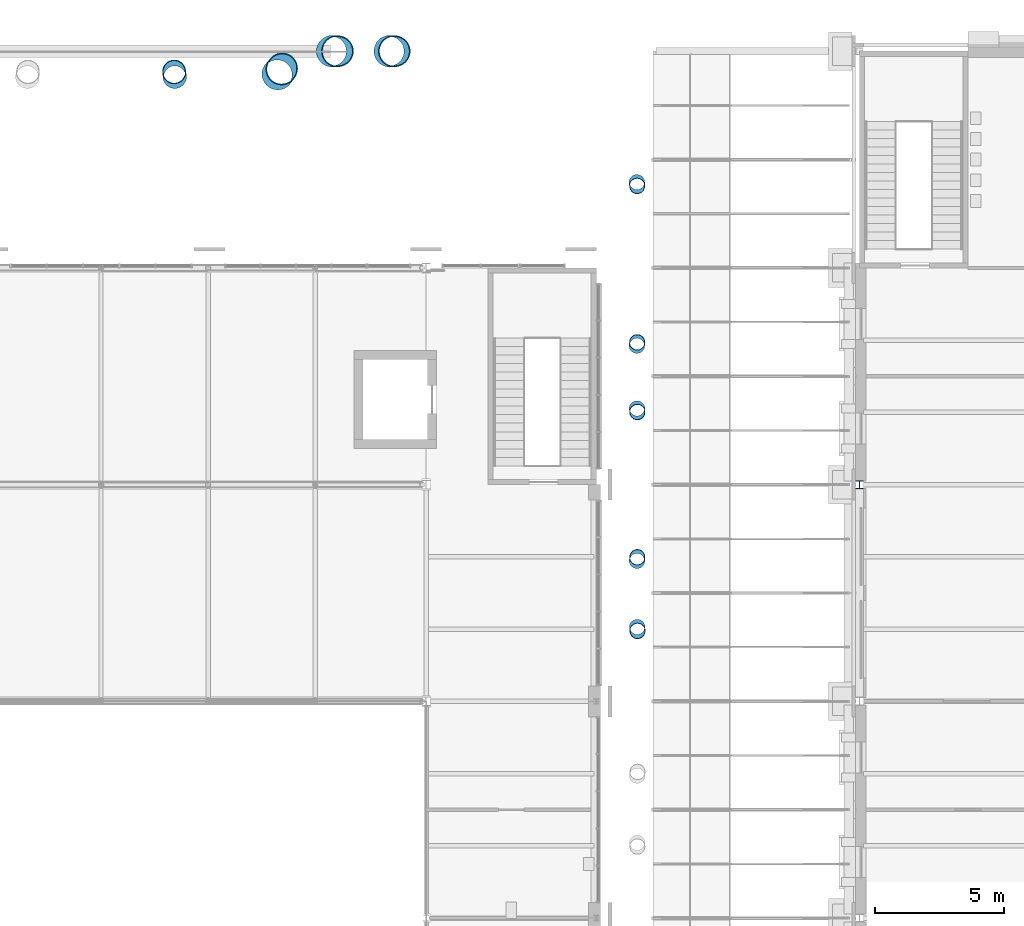
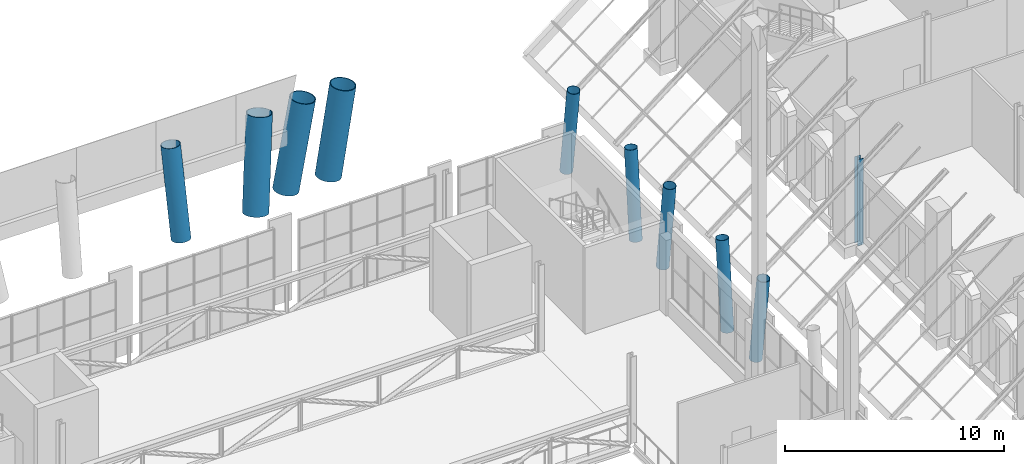
# One storey, part 9 of 76: 10 columns.
"""IFC4 building model written with IfcOpenShell, lengths in metres."""

from ifc_helpers import new_model, si_unit, direction, frame, origin, origin_2d, place, context, subcontext, project, spatial, hollow_circle, i_section, extrude, material, material_profile, profile_set, type_object, element, save


model = new_model("IFC4")

# Units and contexts
model_context = context("Model", 3, precision=1e-05, world=origin(), true_north=direction((0.0, 1.0)))
body_context = subcontext(model_context, "Body", "Model", "MODEL_VIEW")
ifc_project = project(units=[si_unit("LENGTHUNIT", "METRE"), si_unit("AREAUNIT", "SQUARE_METRE"), si_unit("VOLUMEUNIT", "CUBIC_METRE"), si_unit("PLANEANGLEUNIT", "RADIAN"), si_unit("MASSUNIT", "GRAM", prefix="KILO")], contexts=[model_context])

# Site, building, storey
site_placement = place(None, origin())
site = spatial("IfcSite", under=ifc_project, at=site_placement, CompositionType="ELEMENT")
building_placement = place(site_placement, origin())
building = spatial("IfcBuilding", under=site, at=building_placement, Name="Sava Quay Ferry Terminal", CompositionType="ELEMENT")
storey_placement = place(building_placement, frame((0.0, 0.0, 6.0)))
storey = spatial("IfcBuildingStorey", under=building, at=storey_placement, Name="L01", CompositionType="ELEMENT", Elevation=6.0)

# Columns
ifc_material_1 = material(Name="Steel S355", Category="steel")
ifc_material_profile_1 = material_profile(ifc_material_1, i_section(OverallWidth=0.300048828125, OverallDepth=0.300048828125, WebThickness=0.010986328125, FlangeThickness=0.01904296875, at=origin_2d()), Name="HE 300 B")
ifc_profile_set_1 = profile_set([ifc_material_profile_1], Name="Steel S355")
column_type_1 = type_object("IfcColumnType", Name="Column HE 300 B", PredefinedType="COLUMN", material=ifc_profile_set_1)
column_1_placement = place(storey_placement, frame((92.39990234375, 92.39990234375, 0.0), z_axis=(0.0, 0.0, 1.0), x_axis=(1.0, 0.0, 0.0)))
element("IfcColumn", 1, at=column_1_placement, inside=storey, type_object=column_type_1, Name="Column L01 92.4/92.4", PredefinedType="COLUMN", context=body_context, shape_type="SweptSolid", body=[
    extrude(i_section(OverallWidth=0.300048828125, OverallDepth=0.300048828125, WebThickness=0.010986328125, FlangeThickness=0.01904296875, at=origin_2d()), origin(), (0.0, 0.0, 1.0), 4.800048828125),
])
ifc_material_2 = material(Name="Steel S355", Category="steel")
ifc_material_profile_2 = material_profile(ifc_material_2, hollow_circle(Radius=0.609619140625, WallThickness=0.0400390625, at=origin_2d()), Name="CHS 1219 x 40.0")
ifc_profile_set_2 = profile_set([ifc_material_profile_2], Name="Steel S355")
column_type_2 = type_object("IfcColumnType", Name="V column CHS 1219x40", PredefinedType="COLUMN", material=ifc_profile_set_2)
column_2_placement = place(storey_placement, frame((71.9482421875, 109.199951171875, 0.0), z_axis=(0.18039966294, 0.0, 0.983593392419), x_axis=(0.0, 1.0, 0.0)))
element("IfcColumn", 2, at=column_2_placement, inside=storey, type_object=column_type_2, Name="Departure hall prow V column D-PV7H1a part 2", PredefinedType="COLUMN", context=body_context, shape_type="SweptSolid", body=[
    extrude(hollow_circle(Radius=0.609619140625, WallThickness=0.0400390625, at=origin_2d()), origin(), (0.0, 0.0, 1.0), 4.880126953125),
])
column_3_placement = place(storey_placement, frame((74.180419921875, 109.199951171875, 0.0), z_axis=(0.158589802725, 0.0, 0.987344557119), x_axis=(0.0, 1.0, 0.0)))
element("IfcColumn", 3, at=column_3_placement, inside=storey, type_object=column_type_2, Name="Departure hall prow V column D-PV7H1b part 2", PredefinedType="COLUMN", context=body_context, shape_type="SweptSolid", body=[
    extrude(hollow_circle(Radius=0.609619140625, WallThickness=0.0400390625, at=origin_2d()), origin(), (0.0, 0.0, 1.0), 4.861572265625),
])
column_4_placement = place(storey_placement, frame((69.84033203125, 108.302490234375, 0.0), z_axis=(0.138042300451, 0.172862887916, 0.975224458916), x_axis=(-0.781415394348, 0.624011203005, 0.0)))
element("IfcColumn", 4, at=column_4_placement, inside=storey, type_object=column_type_2, Name="Departure hall prow V column D-PVTb part 2", PredefinedType="COLUMN", context=body_context, shape_type="SweptSolid", body=[
    extrude(hollow_circle(Radius=0.609619140625, WallThickness=0.0400390625, at=origin_2d()), origin(), (0.0, 0.0, 1.0), 4.921875),
])
ifc_material_3 = material(Name="Steel S355", Category="steel")
ifc_material_profile_3 = material_profile(ifc_material_3, hollow_circle(Radius=0.304931640625, WallThickness=0.02001953125, at=origin_2d()), Name="CHS 610 x 20.0")
ifc_profile_set_3 = profile_set([ifc_material_profile_3], Name="Steel S355")
column_type_3 = type_object("IfcColumnType", Name="V column CHS 610x20", PredefinedType="COLUMN", material=ifc_profile_set_3)
column_5_placement = place(storey_placement, frame((83.780517578125, 86.875244140625, 0.0), z_axis=(0.010899610933, -0.12484091411, 0.992116900695), x_axis=(0.996210308302, 0.086977132819, 0.0)))
element("IfcColumn", 5, at=column_5_placement, inside=storey, type_object=column_type_3, Name="Departure hall V column D-VR4b part 2", PredefinedType="COLUMN", context=body_context, shape_type="SweptSolid", body=[
    extrude(hollow_circle(Radius=0.304931640625, WallThickness=0.02001953125, at=origin_2d()), origin(), (0.0, 0.0, 1.0), 4.838134765625),
])
for number, where, z_axis, x_axis, name in (
    (6, (83.7744140625, 89.453125, 0.0), (0.010002982994, 0.115337425131, 0.993276003282), (-0.996260212041, 0.086403645197, 0.0), "Departure hall V column D-VR5a part 2"),
    (7, (83.7744140625, 95.3466796875, 0.0), (0.010003041268, -0.115287576634, 0.993281789745), (0.996256952066, 0.086441225464, 0.0), "Departure hall V column D-VR5b part 2"),
):
    element("IfcColumn", number, at=place(storey_placement, frame(where, z_axis=z_axis, x_axis=x_axis)), inside=storey, type_object=column_type_3, Name=name, PredefinedType="COLUMN", context=body_context, shape_type="SweptSolid", body=[
        extrude(hollow_circle(Radius=0.304931640625, WallThickness=0.02001953125, at=origin_2d()), origin(), (0.0, 0.0, 1.0), 4.83251953125),
    ])
column_6_placement = place(storey_placement, frame((83.76904296875, 97.7919921875, 0.0), z_axis=(0.009304391204, 0.10710163353, 0.994204540525), x_axis=(-0.996247644878, 0.086548426184, 0.0)))
element("IfcColumn", 8, at=column_6_placement, inside=storey, type_object=column_type_3, Name="Departure hall V column D-VR6a part 2", PredefinedType="COLUMN", context=body_context, shape_type="SweptSolid", body=[
    extrude(hollow_circle(Radius=0.304931640625, WallThickness=0.02001953125, at=origin_2d()), origin(), (0.0, 0.0, 1.0), 4.828125),
])
column_7_placement = place(storey_placement, frame((83.76904296875, 104.1162109375, 0.0), z_axis=(0.009291302758, -0.119373041958, 0.992805997437), x_axis=(0.996984614132, 0.077599479273, 0.0)))
element("IfcColumn", 9, at=column_7_placement, inside=storey, type_object=column_type_3, Name="Departure hall V column D-VR6b part 2", PredefinedType="COLUMN", context=body_context, shape_type="SweptSolid", body=[
    extrude(hollow_circle(Radius=0.304931640625, WallThickness=0.02001953125, at=origin_2d()), origin(), (0.0, 0.0, 1.0), 4.834716796875),
])
ifc_material_4 = material(Name="Steel S355", Category="steel")
ifc_material_profile_4 = material_profile(ifc_material_4, hollow_circle(Radius=0.45703125, WallThickness=0.030029296875, at=origin_2d()), Name="CHS 914 x 30.0")
ifc_profile_set_4 = profile_set([ifc_material_profile_4], Name="Steel S355")
column_type_4 = type_object("IfcColumnType", Name="V column CHS 914x30", PredefinedType="COLUMN", material=ifc_profile_set_4)
column_8_placement = place(storey_placement, frame((65.85693359375, 108.207763671875, 0.0), z_axis=(-0.019168645889, 0.162130614835, 0.986583106863), x_axis=(-0.993083303504, -0.117411891655, 0.0)))
element("IfcColumn", 10, at=column_8_placement, inside=storey, type_object=column_type_4, Name="Departure hall prow V column D-PVMb2.1 part 2", PredefinedType="COLUMN", context=body_context, shape_type="SweptSolid", body=[
    extrude(hollow_circle(Radius=0.45703125, WallThickness=0.030029296875, at=origin_2d()), origin(), (0.0, 0.0, 1.0), 4.865234375),
])

save(model, "model.ifc")
